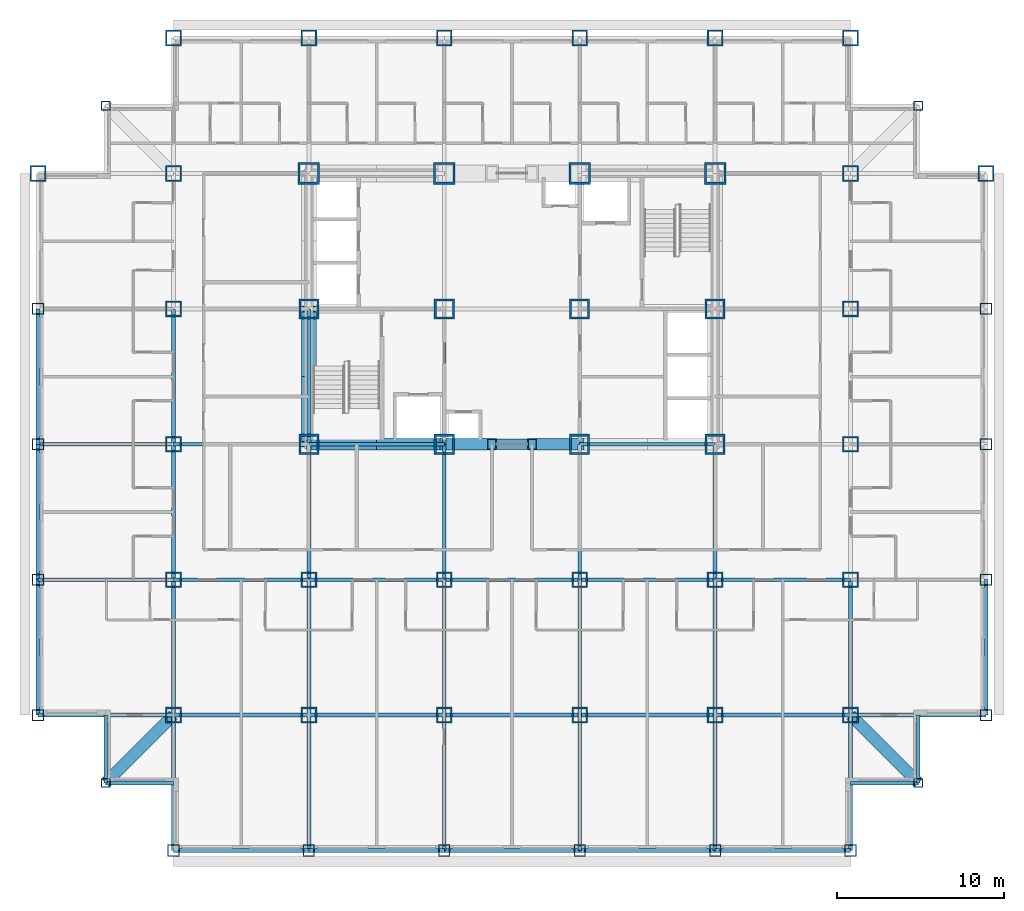
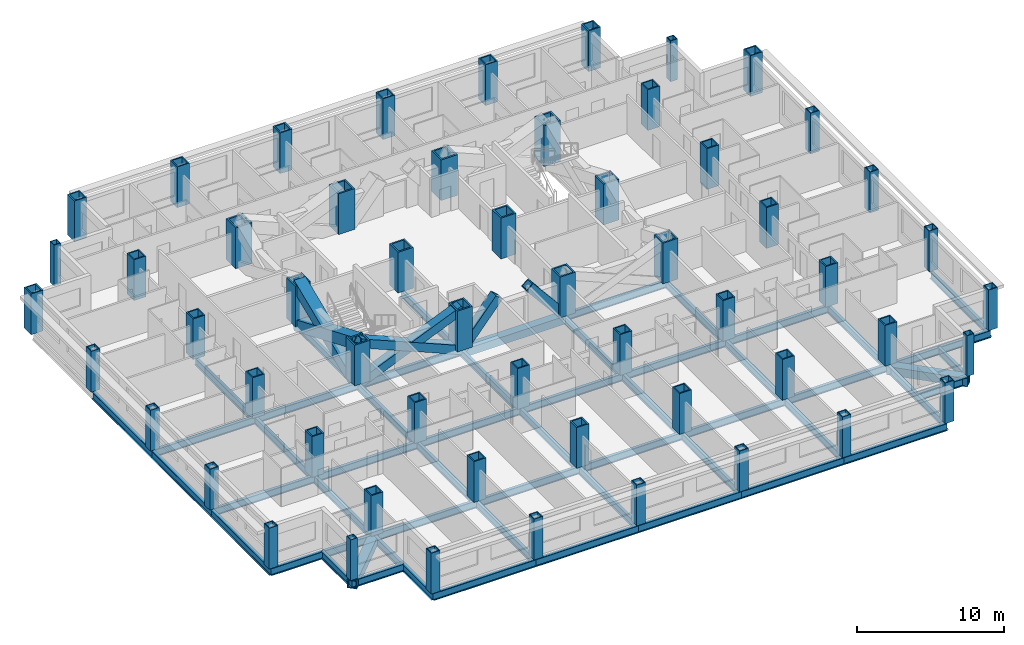
# One storey, part 1 of 12: 56 columns, 53 beams, 6 members.
"""IFC4 building model written with IfcOpenShell, lengths in metres."""

from ifc_helpers import new_model, si_unit, direction, frame, origin, origin_2d, place, context, subcontext, project, spatial, hollow_rectangle, i_section, extrude, material, material_profile, profile_set, type_object, element, save


model = new_model("IFC4")

# Units and contexts
model_context = context("Model", 3, precision=1e-05, world=origin(), true_north=direction((0.0, 1.0)))
body_context = subcontext(model_context, "Body", "Model", "MODEL_VIEW")
ifc_project = project(units=[si_unit("LENGTHUNIT", "METRE"), si_unit("AREAUNIT", "SQUARE_METRE"), si_unit("VOLUMEUNIT", "CUBIC_METRE"), si_unit("PLANEANGLEUNIT", "RADIAN"), si_unit("MASSUNIT", "GRAM", prefix="KILO")], contexts=[model_context])

# Site, building, storey
site_placement = place(None, origin())
site = spatial("IfcSite", under=ifc_project, at=site_placement, CompositionType="ELEMENT")
building_placement = place(site_placement, origin())
building = spatial("IfcBuilding", under=site, at=building_placement, Name="Kopane Lantern Tower", CompositionType="ELEMENT")
storey_placement = place(building_placement, frame((0.0, 0.0, 46.60009765625)))
storey = spatial("IfcBuildingStorey", under=building, at=storey_placement, Name="L10", CompositionType="ELEMENT", Elevation=46.60009765625)

# Columns
ifc_material_1 = material(Name="Steel S355JR", Category="steel")
ifc_material_profile_1 = material_profile(ifc_material_1, hollow_rectangle(XDim=1.199951171875, YDim=1.199951171875, WallThickness=0.1201171875, at=origin_2d()), Name="BOX 1200x1200x120")
ifc_profile_set_1 = profile_set([ifc_material_profile_1], Name="Steel S355JR")
column_type_1 = type_object("IfcColumnType", Name="COLUMN BOX 1200x1200x120", PredefinedType="COLUMN", material=ifc_profile_set_1)
for number, where, z_axis, x_axis, name in (
    (1, (16.199951171875, 24.300048828125, 0.0), (0.0, 0.0, 1.0), (1.0, 0.0, 0.0), "Column 4/E L10"),
    (2, (16.199951171875, 32.39990234375, 0.0), (0.0, 0.0, 1.0), (1.0, 0.0, 0.0), "Column 4/F L10"),
    (3, (24.300048828125, 24.300048828125, 0.0), (0.0, 0.0, 1.0), (1.0, 0.0, 0.0), "Column 5/E L10"),
    (4, (24.300048828125, 32.39990234375, 0.0), (0.0, 0.0, 1.0), (1.0, 0.0, 0.0), "Column 5/F L10"),
    (5, (32.39990234375, 24.300048828125, 0.0), (0.0, 0.0, 1.0), (1.0, 0.0, 0.0), "Column 6/E L10"),
    (6, (32.39990234375, 32.39990234375, 0.0), (0.0, 0.0, 1.0), (1.0, 0.0, 0.0), "Column 6/F L10"),
    (7, (40.5, 24.300048828125, 0.0), (0.0, 0.0, 1.0), (1.0, 0.0, 0.0), "Column 7/E L10"),
    (8, (40.5, 32.39990234375, 0.0), (0.0, 0.0, 1.0), (1.0, 0.0, 0.0), "Column 7/F L10"),
):
    element("IfcColumn", number, at=place(storey_placement, frame(where, z_axis=z_axis, x_axis=x_axis)), inside=storey, type_object=column_type_1, Name=name, PredefinedType="COLUMN", context=body_context, shape_type="SweptSolid", body=[
        extrude(hollow_rectangle(XDim=1.199951171875, YDim=1.199951171875, WallThickness=0.1201171875, at=origin_2d()), origin(), (0.0, 0.0, 1.0), 3.39990234375),
    ])
ifc_material_2 = material(Name="Steel S355JR", Category="steel")
ifc_material_profile_2 = material_profile(ifc_material_2, hollow_rectangle(XDim=1.300048828125, YDim=1.300048828125, WallThickness=0.1298828125, at=origin_2d()), Name="BOX 1300x1300x130")
ifc_profile_set_2 = profile_set([ifc_material_profile_2], Name="Steel S355JR")
column_type_2 = type_object("IfcColumnType", Name="COLUMN BOX 1300x1300x130", PredefinedType="COLUMN", material=ifc_profile_set_2)
for number, where, z_axis, x_axis, name in (
    (9, (16.199951171875, 40.5, 0.0), (0.0, 0.0, 1.0), (1.0, 0.0, 0.0), "Column 4/G L10"),
    (10, (24.300048828125, 40.5, 0.0), (0.0, 0.0, 1.0), (1.0, 0.0, 0.0), "Column 5/G L10"),
    (11, (32.39990234375, 40.5, 0.0), (0.0, 0.0, 1.0), (1.0, 0.0, 0.0), "Column 6/G L10"),
    (12, (40.5, 40.5, 0.0), (0.0, 0.0, 1.0), (1.0, 0.0, 0.0), "Column 7/G L10"),
):
    element("IfcColumn", number, at=place(storey_placement, frame(where, z_axis=z_axis, x_axis=x_axis)), inside=storey, type_object=column_type_2, Name=name, PredefinedType="COLUMN", context=body_context, shape_type="SweptSolid", body=[
        extrude(hollow_rectangle(XDim=1.300048828125, YDim=1.300048828125, WallThickness=0.1298828125, at=origin_2d()), origin(), (0.0, 0.0, 1.0), 3.39990234375),
    ])
ifc_material_3 = material(Name="Steel S355JR", Category="steel")
ifc_material_profile_3 = material_profile(ifc_material_3, hollow_rectangle(XDim=0.550048828125, YDim=0.550048828125, WallThickness=0.050048828125, at=origin_2d()), Name="BOX 550x550x50")
ifc_profile_set_3 = profile_set([ifc_material_profile_3], Name="Steel S355JR")
column_type_3 = type_object("IfcColumnType", Name="COLUMN BOX 550x550x50", PredefinedType="COLUMN", material=ifc_profile_set_3)
for number, where, z_axis, x_axis, name in (
    (13, (4.050048828125, 4.050048828125, 0.0), (0.0, 0.0, 1.0), (1.0, 0.0, 0.0), "Column 4.05/4.05 L10"),
    (14, (4.050048828125, 44.550048828125, 0.0), (0.0, 0.0, 1.0), (1.0, 0.0, 0.0), "Column 4.05/44.55 L10"),
    (15, (52.64990234375, 4.050048828125, 0.0), (0.0, 0.0, 1.0), (1.0, 0.0, 0.0), "Column 52.65/4.05 L10"),
    (16, (52.64990234375, 44.550048828125, 0.0), (0.0, 0.0, 1.0), (1.0, 0.0, 0.0), "Column 52.65/44.55 L10"),
):
    element("IfcColumn", number, at=place(storey_placement, frame(where, z_axis=z_axis, x_axis=x_axis)), inside=storey, type_object=column_type_3, Name=name, PredefinedType="COLUMN", context=body_context, shape_type="SweptSolid", body=[
        extrude(hollow_rectangle(XDim=0.550048828125, YDim=0.550048828125, WallThickness=0.050048828125, at=origin_2d()), origin(), (0.0, 0.0, 1.0), 3.39990234375),
    ])
ifc_material_4 = material(Name="Steel S355JR", Category="steel")
ifc_material_profile_4 = material_profile(ifc_material_4, hollow_rectangle(XDim=0.699951171875, YDim=0.699951171875, WallThickness=0.06005859375, at=origin_2d()), Name="BOX 700x700x60")
ifc_profile_set_4 = profile_set([ifc_material_profile_4], Name="Steel S355JR")
column_type_4 = type_object("IfcColumnType", Name="COLUMN BOX 700x700x60", PredefinedType="COLUMN", material=ifc_profile_set_4)
for number, where, z_axis, x_axis, name in (
    (17, (0.0, 8.10009765625, 0.0), (0.0, 0.0, 1.0), (1.0, 0.0, 0.0), "Column 2/C L10"),
    (18, (0.0, 16.199951171875, 0.0), (0.0, 0.0, 1.0), (1.0, 0.0, 0.0), "Column 2/D L10"),
    (19, (0.0, 24.300048828125, 0.0), (0.0, 0.0, 1.0), (1.0, 0.0, 0.0), "Column 2/E L10"),
    (20, (0.0, 32.39990234375, 0.0), (0.0, 0.0, 1.0), (1.0, 0.0, 0.0), "Column 2/F L10"),
    (21, (8.10009765625, 0.0, 0.0), (0.0, 0.0, 1.0), (1.0, 0.0, 0.0), "Column 3/B L10"),
    (22, (16.199951171875, 0.0, 0.0), (0.0, 0.0, 1.0), (1.0, 0.0, 0.0), "Column 4/B L10"),
    (23, (24.300048828125, 0.0, 0.0), (0.0, 0.0, 1.0), (1.0, 0.0, 0.0), "Column 5/B L10"),
    (24, (32.39990234375, 0.0, 0.0), (0.0, 0.0, 1.0), (1.0, 0.0, 0.0), "Column 6/B L10"),
    (25, (40.5, 0.0, 0.0), (0.0, 0.0, 1.0), (1.0, 0.0, 0.0), "Column 7/B L10"),
    (26, (48.60009765625, 0.0, 0.0), (0.0, 0.0, 1.0), (1.0, 0.0, 0.0), "Column 8/B L10"),
    (27, (56.699951171875, 8.10009765625, 0.0), (0.0, 0.0, 1.0), (1.0, 0.0, 0.0), "Column 9/C L10"),
    (28, (56.699951171875, 16.199951171875, 0.0), (0.0, 0.0, 1.0), (1.0, 0.0, 0.0), "Column 9/D L10"),
    (29, (56.699951171875, 24.300048828125, 0.0), (0.0, 0.0, 1.0), (1.0, 0.0, 0.0), "Column 9/E L10"),
    (30, (56.699951171875, 32.39990234375, 0.0), (0.0, 0.0, 1.0), (1.0, 0.0, 0.0), "Column 9/F L10"),
):
    element("IfcColumn", number, at=place(storey_placement, frame(where, z_axis=z_axis, x_axis=x_axis)), inside=storey, type_object=column_type_4, Name=name, PredefinedType="COLUMN", context=body_context, shape_type="SweptSolid", body=[
        extrude(hollow_rectangle(XDim=0.699951171875, YDim=0.699951171875, WallThickness=0.06005859375, at=origin_2d()), origin(), (0.0, 0.0, 1.0), 3.39990234375),
    ])
ifc_material_5 = material(Name="Steel S355JR", Category="steel")
ifc_material_profile_5 = material_profile(ifc_material_5, hollow_rectangle(XDim=0.949951171875, YDim=0.949951171875, WallThickness=0.094970703125, at=origin_2d()), Name="BOX 950x950x95")
ifc_profile_set_5 = profile_set([ifc_material_profile_5], Name="Steel S355JR")
column_type_5 = type_object("IfcColumnType", Name="COLUMN BOX 950x950x95", PredefinedType="COLUMN", material=ifc_profile_set_5)
for number, where, z_axis, x_axis, name in (
    (31, (0.0, 40.5, 0.0), (0.0, 0.0, 1.0), (1.0, 0.0, 0.0), "Column 2/G L10"),
    (32, (8.10009765625, 8.10009765625, 0.0), (0.0, 0.0, 1.0), (1.0, 0.0, 0.0), "Column 3/C L10"),
    (33, (8.10009765625, 16.199951171875, 0.0), (0.0, 0.0, 1.0), (1.0, 0.0, 0.0), "Column 3/D L10"),
    (34, (8.10009765625, 24.300048828125, 0.0), (0.0, 0.0, 1.0), (1.0, 0.0, 0.0), "Column 3/E L10"),
    (35, (8.10009765625, 32.39990234375, 0.0), (0.0, 0.0, 1.0), (1.0, 0.0, 0.0), "Column 3/F L10"),
    (36, (8.10009765625, 40.5, 0.0), (0.0, 0.0, 1.0), (1.0, 0.0, 0.0), "Column 3/G L10"),
    (37, (8.10009765625, 48.60009765625, 0.0), (0.0, 0.0, 1.0), (1.0, 0.0, 0.0), "Column 3/H L10"),
    (38, (16.199951171875, 8.10009765625, 0.0), (0.0, 0.0, 1.0), (1.0, 0.0, 0.0), "Column 4/C L10"),
    (39, (16.199951171875, 16.199951171875, 0.0), (0.0, 0.0, 1.0), (1.0, 0.0, 0.0), "Column 4/D L10"),
    (40, (16.199951171875, 48.60009765625, 0.0), (0.0, 0.0, 1.0), (1.0, 0.0, 0.0), "Column 4/H L10"),
    (41, (24.300048828125, 8.10009765625, 0.0), (0.0, 0.0, 1.0), (1.0, 0.0, 0.0), "Column 5/C L10"),
    (42, (24.300048828125, 16.199951171875, 0.0), (0.0, 0.0, 1.0), (1.0, 0.0, 0.0), "Column 5/D L10"),
    (43, (24.300048828125, 48.60009765625, 0.0), (0.0, 0.0, 1.0), (1.0, 0.0, 0.0), "Column 5/H L10"),
    (44, (32.39990234375, 8.10009765625, 0.0), (0.0, 0.0, 1.0), (1.0, 0.0, 0.0), "Column 6/C L10"),
    (45, (32.39990234375, 16.199951171875, 0.0), (0.0, 0.0, 1.0), (1.0, 0.0, 0.0), "Column 6/D L10"),
    (46, (32.39990234375, 48.60009765625, 0.0), (0.0, 0.0, 1.0), (1.0, 0.0, 0.0), "Column 6/H L10"),
    (47, (40.5, 8.10009765625, 0.0), (0.0, 0.0, 1.0), (1.0, 0.0, 0.0), "Column 7/C L10"),
    (48, (40.5, 16.199951171875, 0.0), (0.0, 0.0, 1.0), (1.0, 0.0, 0.0), "Column 7/D L10"),
    (49, (40.5, 48.60009765625, 0.0), (0.0, 0.0, 1.0), (1.0, 0.0, 0.0), "Column 7/H L10"),
    (50, (48.60009765625, 8.10009765625, 0.0), (0.0, 0.0, 1.0), (1.0, 0.0, 0.0), "Column 8/C L10"),
    (51, (48.60009765625, 16.199951171875, 0.0), (0.0, 0.0, 1.0), (1.0, 0.0, 0.0), "Column 8/D L10"),
    (52, (48.60009765625, 24.300048828125, 0.0), (0.0, 0.0, 1.0), (1.0, 0.0, 0.0), "Column 8/E L10"),
    (53, (48.60009765625, 32.39990234375, 0.0), (0.0, 0.0, 1.0), (1.0, 0.0, 0.0), "Column 8/F L10"),
    (54, (48.60009765625, 40.5, 0.0), (0.0, 0.0, 1.0), (1.0, 0.0, 0.0), "Column 8/G L10"),
    (55, (48.60009765625, 48.60009765625, 0.0), (0.0, 0.0, 1.0), (1.0, 0.0, 0.0), "Column 8/H L10"),
    (56, (56.699951171875, 40.5, 0.0), (0.0, 0.0, 1.0), (1.0, 0.0, 0.0), "Column 9/G L10"),
):
    element("IfcColumn", number, at=place(storey_placement, frame(where, z_axis=z_axis, x_axis=x_axis)), inside=storey, type_object=column_type_5, Name=name, PredefinedType="COLUMN", context=body_context, shape_type="SweptSolid", body=[
        extrude(hollow_rectangle(XDim=0.949951171875, YDim=0.949951171875, WallThickness=0.094970703125, at=origin_2d()), origin(), (0.0, 0.0, 1.0), 3.39990234375),
    ])

# Members
ifc_material_6 = material(Name="Steel S355JR", Category="steel")
ifc_material_profile_6 = material_profile(ifc_material_6, hollow_rectangle(XDim=0.699951171875, YDim=0.699951171875, WallThickness=0.06005859375, at=origin_2d()), Name="BOX 700x700x60")
ifc_profile_set_6 = profile_set([ifc_material_profile_6], Name="Steel S355JR")
member_type_1 = type_object("IfcMemberType", Name="BRACE BOX 700x700x60", PredefinedType="BRACE", material=ifc_profile_set_6)
for number, where, z_axis, x_axis, name in (
    (57, (16.199951171875, 24.300048828125, -0.210205078125), (0.92205908274, 0.0, 0.387049154419), (0.0, 1.0, 0.0), "Core brace L10"),
    (58, (24.300048828125, 24.300048828125, -0.210205078125), (-0.92205908274, 0.0, 0.387049154419), (0.0, -1.0, 0.0), "Core brace L10"),
):
    element("IfcMember", number, at=place(storey_placement, frame(where, z_axis=z_axis, x_axis=x_axis)), inside=storey, type_object=member_type_1, Name=name, PredefinedType="BRACE", context=body_context, shape_type="SweptSolid", body=[
        extrude(hollow_rectangle(XDim=0.699951171875, YDim=0.699951171875, WallThickness=0.06005859375, at=origin_2d()), origin(), (0.0, 0.0, 1.0), 8.784912109375),
    ])
for number, where, z_axis, x_axis, name in (
    (59, (24.300048828125, 24.300048828125, -0.210205078125), (0.642363165114, 0.0, 0.766400394118), (0.0, 1.0, 0.0), "Core brace L10"),
    (60, (32.39990234375, 24.300048828125, -0.210205078125), (-0.642363165114, 0.0, 0.766400394118), (0.0, -1.0, 0.0), "Core brace L10"),
):
    element("IfcMember", number, at=place(storey_placement, frame(where, z_axis=z_axis, x_axis=x_axis)), inside=storey, type_object=member_type_1, Name=name, PredefinedType="BRACE", context=body_context, shape_type="SweptSolid", body=[
        extrude(hollow_rectangle(XDim=0.699951171875, YDim=0.699951171875, WallThickness=0.06005859375, at=origin_2d()), origin(), (0.0, 0.0, 1.0), 4.4365234375),
    ])
ifc_material_7 = material(Name="Steel S355JR", Category="steel")
ifc_material_profile_7 = material_profile(ifc_material_7, hollow_rectangle(XDim=0.89990234375, YDim=0.89990234375, WallThickness=0.090087890625, at=origin_2d()), Name="BOX 900x900x90")
ifc_profile_set_7 = profile_set([ifc_material_profile_7], Name="Steel S355JR")
member_type_2 = type_object("IfcMemberType", Name="BRACE BOX 900x900x90", PredefinedType="BRACE", material=ifc_profile_set_7)
for number, where, z_axis, x_axis, name in (
    (61, (16.199951171875, 24.300048828125, -0.210205078125), (0.0, 0.92205491925, 0.387059072864), (-1.0, 0.0, 0.0), "Core brace L10"),
    (62, (16.199951171875, 32.39990234375, -0.210205078125), (0.0, -0.92205491925, 0.387059072864), (1.0, 0.0, 0.0), "Core brace L10"),
):
    element("IfcMember", number, at=place(storey_placement, frame(where, z_axis=z_axis, x_axis=x_axis)), inside=storey, type_object=member_type_2, Name=name, PredefinedType="BRACE", context=body_context, shape_type="SweptSolid", body=[
        extrude(hollow_rectangle(XDim=0.89990234375, YDim=0.89990234375, WallThickness=0.090087890625, at=origin_2d()), origin(), (0.0, 0.0, 1.0), 8.78466796875),
    ])

# Beams
ifc_material_8 = material(Name="Steel S355JR", Category="steel")
ifc_material_profile_8 = material_profile(ifc_material_8, i_section(OverallWidth=0.22900390625, OverallDepth=0.6123046875, WebThickness=0.011962890625, FlangeThickness=0.01953125, FilletRadius=0.0126953125, at=origin_2d()), Name="UB 610x229x125")
ifc_profile_set_8 = profile_set([ifc_material_profile_8], Name="Steel S355JR")
beam_type_1 = type_object("IfcBeamType", Name="CORE BEAM UB 610x229x125", PredefinedType="BEAM", material=ifc_profile_set_8)
beam_1_placement = place(storey_placement, frame((24.300048828125, 24.300048828125, -0.51611328125), z_axis=(0.0, 1.0, 0.0), x_axis=(-1.0, 0.0, 0.0)))
element("IfcBeam", 63, at=beam_1_placement, inside=storey, type_object=beam_type_1, Name="Core Beam L10", PredefinedType="BEAM", context=body_context, shape_type="SweptSolid", body=[
    extrude(i_section(OverallWidth=0.22900390625, OverallDepth=0.6123046875, WebThickness=0.011962890625, FlangeThickness=0.01953125, FilletRadius=0.0126953125, at=origin_2d()), origin(), (0.0, 0.0, 1.0), 8.099853515625),
])
ifc_material_9 = material(Name="Steel S355JR", Category="steel")
ifc_material_profile_9 = material_profile(ifc_material_9, hollow_rectangle(XDim=0.699951171875, YDim=0.699951171875, WallThickness=0.06005859375, at=origin_2d()), Name="BOX 700x700x60")
ifc_profile_set_9 = profile_set([ifc_material_profile_9], Name="Steel S355JR")
beam_type_2 = type_object("IfcBeamType", Name="CORNER TIE BEAM BOX 700x700x60", PredefinedType="BEAM", material=ifc_profile_set_9)
for number, where, z_axis, x_axis, name in (
    (64, (4.050048828125, 4.050048828125, -0.56005859375), (0.707106781187, 0.707106781187, 0.0), (-0.707106781187, 0.707106781187, 0.0), "Corner Tie Beam L10"),
    (65, (52.64990234375, 4.050048828125, -0.56005859375), (-0.707085467703, 0.707128094028, 0.0), (-0.707128094028, -0.707085467703, 0.0), "Corner Tie Beam L10"),
):
    element("IfcBeam", number, at=place(storey_placement, frame(where, z_axis=z_axis, x_axis=x_axis)), inside=storey, type_object=beam_type_2, Name=name, PredefinedType="BEAM", context=body_context, shape_type="SweptSolid", body=[
        extrude(hollow_rectangle(XDim=0.699951171875, YDim=0.699951171875, WallThickness=0.06005859375, at=origin_2d()), origin(), (0.0, 0.0, 1.0), 5.7275390625),
    ])
ifc_material_10 = material(Name="Steel S355JR", Category="steel")
ifc_material_profile_10 = material_profile(ifc_material_10, i_section(OverallWidth=0.22900390625, OverallDepth=0.6123046875, WebThickness=0.011962890625, FlangeThickness=0.01953125, FilletRadius=0.0126953125, at=origin_2d()), Name="UB 610x229x125")
ifc_profile_set_10 = profile_set([ifc_material_profile_10], Name="Steel S355JR")
beam_type_3 = type_object("IfcBeamType", Name="EDGE BEAM UB 610x229x125", PredefinedType="BEAM", material=ifc_profile_set_10)
for number, where, z_axis, x_axis, name in (
    (66, (4.050048828125, 4.050048828125, -0.51611328125), (0.0, 1.0, 0.0), (-1.0, 0.0, 0.0), "Edge Beam L10"),
    (67, (4.050048828125, 4.050048828125, -0.51611328125), (1.0, 0.0, 0.0), (0.0, 1.0, 0.0), "Edge Beam L10"),
):
    element("IfcBeam", number, at=place(storey_placement, frame(where, z_axis=z_axis, x_axis=x_axis)), inside=storey, type_object=beam_type_3, Name=name, PredefinedType="BEAM", context=body_context, shape_type="SweptSolid", body=[
        extrude(i_section(OverallWidth=0.22900390625, OverallDepth=0.6123046875, WebThickness=0.011962890625, FlangeThickness=0.01953125, FilletRadius=0.0126953125, at=origin_2d()), origin(), (0.0, 0.0, 1.0), 4.050048828125),
    ])
beam_2_placement = place(storey_placement, frame((52.64990234375, 4.050048828125, -0.51611328125), z_axis=(-1.0, 0.0, 0.0), x_axis=(0.0, -1.0, 0.0)))
element("IfcBeam", 68, at=beam_2_placement, inside=storey, type_object=beam_type_3, Name="Edge Beam L10", PredefinedType="BEAM", context=body_context, shape_type="SweptSolid", body=[
    extrude(i_section(OverallWidth=0.22900390625, OverallDepth=0.6123046875, WebThickness=0.011962890625, FlangeThickness=0.01953125, FilletRadius=0.0126953125, at=origin_2d()), origin(), (0.0, 0.0, 1.0), 4.0498046875),
])
beam_3_placement = place(storey_placement, frame((52.64990234375, 4.050048828125, -0.51611328125), z_axis=(0.0, 1.0, 0.0), x_axis=(-1.0, 0.0, 0.0)))
element("IfcBeam", 69, at=beam_3_placement, inside=storey, type_object=beam_type_3, Name="Edge Beam L10", PredefinedType="BEAM", context=body_context, shape_type="SweptSolid", body=[
    extrude(i_section(OverallWidth=0.22900390625, OverallDepth=0.6123046875, WebThickness=0.011962890625, FlangeThickness=0.01953125, FilletRadius=0.0126953125, at=origin_2d()), origin(), (0.0, 0.0, 1.0), 4.050048828125),
])
ifc_material_11 = material(Name="Steel S355JR", Category="steel")
ifc_material_profile_11 = material_profile(ifc_material_11, i_section(OverallWidth=0.22900390625, OverallDepth=0.6123046875, WebThickness=0.011962890625, FlangeThickness=0.01953125, FilletRadius=0.0126953125, at=origin_2d()), Name="UB 610x229x125")
ifc_profile_set_11 = profile_set([ifc_material_profile_11], Name="Steel S355JR")
beam_type_4 = type_object("IfcBeamType", Name="GIRDER UB 610x229x125", PredefinedType="BEAM", material=ifc_profile_set_11)
beam_4_placement = place(storey_placement, frame((0.0, 8.10009765625, -0.51611328125), z_axis=(0.0, 1.0, 0.0), x_axis=(-1.0, 0.0, 0.0)))
element("IfcBeam", 70, at=beam_4_placement, inside=storey, type_object=beam_type_4, Name="Girder L10", PredefinedType="BEAM", context=body_context, shape_type="SweptSolid", body=[
    extrude(i_section(OverallWidth=0.22900390625, OverallDepth=0.6123046875, WebThickness=0.011962890625, FlangeThickness=0.01953125, FilletRadius=0.0126953125, at=origin_2d()), origin(), (0.0, 0.0, 1.0), 8.099853515625),
])
for number, where, z_axis, x_axis, name in (
    (71, (0.0, 8.10009765625, -0.51611328125), (1.0, 0.0, 0.0), (0.0, 1.0, 0.0), "Girder L10"),
    (72, (0.0, 16.199951171875, -0.51611328125), (0.0, 1.0, 0.0), (-1.0, 0.0, 0.0), "Girder L10"),
    (73, (0.0, 16.199951171875, -0.51611328125), (1.0, 0.0, 0.0), (0.0, 1.0, 0.0), "Girder L10"),
):
    element("IfcBeam", number, at=place(storey_placement, frame(where, z_axis=z_axis, x_axis=x_axis)), inside=storey, type_object=beam_type_4, Name=name, PredefinedType="BEAM", context=body_context, shape_type="SweptSolid", body=[
        extrude(i_section(OverallWidth=0.22900390625, OverallDepth=0.6123046875, WebThickness=0.011962890625, FlangeThickness=0.01953125, FilletRadius=0.0126953125, at=origin_2d()), origin(), (0.0, 0.0, 1.0), 8.10009765625),
    ])
beam_5_placement = place(storey_placement, frame((0.0, 24.300048828125, -0.51611328125), z_axis=(0.0, 1.0, 0.0), x_axis=(-1.0, 0.0, 0.0)))
element("IfcBeam", 74, at=beam_5_placement, inside=storey, type_object=beam_type_4, Name="Girder L10", PredefinedType="BEAM", context=body_context, shape_type="SweptSolid", body=[
    extrude(i_section(OverallWidth=0.22900390625, OverallDepth=0.6123046875, WebThickness=0.011962890625, FlangeThickness=0.01953125, FilletRadius=0.0126953125, at=origin_2d()), origin(), (0.0, 0.0, 1.0), 8.099853515625),
])
for number, where, z_axis, x_axis, name in (
    (75, (0.0, 24.300048828125, -0.51611328125), (1.0, 0.0, 0.0), (0.0, 1.0, 0.0), "Girder L10"),
    (76, (8.10009765625, 0.0, -0.51611328125), (0.0, 1.0, 0.0), (-1.0, 0.0, 0.0), "Girder L10"),
):
    element("IfcBeam", number, at=place(storey_placement, frame(where, z_axis=z_axis, x_axis=x_axis)), inside=storey, type_object=beam_type_4, Name=name, PredefinedType="BEAM", context=body_context, shape_type="SweptSolid", body=[
        extrude(i_section(OverallWidth=0.22900390625, OverallDepth=0.6123046875, WebThickness=0.011962890625, FlangeThickness=0.01953125, FilletRadius=0.0126953125, at=origin_2d()), origin(), (0.0, 0.0, 1.0), 8.10009765625),
    ])
for number, where, z_axis, x_axis, name in (
    (77, (8.10009765625, 0.0, -0.51611328125), (1.0, 0.0, 0.0), (0.0, 1.0, 0.0), "Girder L10"),
    (78, (8.10009765625, 8.10009765625, -0.51611328125), (0.0, 1.0, 0.0), (-1.0, 0.0, 0.0), "Girder L10"),
    (79, (8.10009765625, 8.10009765625, -0.51611328125), (1.0, 0.0, 0.0), (0.0, 1.0, 0.0), "Girder L10"),
):
    element("IfcBeam", number, at=place(storey_placement, frame(where, z_axis=z_axis, x_axis=x_axis)), inside=storey, type_object=beam_type_4, Name=name, PredefinedType="BEAM", context=body_context, shape_type="SweptSolid", body=[
        extrude(i_section(OverallWidth=0.22900390625, OverallDepth=0.6123046875, WebThickness=0.011962890625, FlangeThickness=0.01953125, FilletRadius=0.0126953125, at=origin_2d()), origin(), (0.0, 0.0, 1.0), 8.099853515625),
    ])
beam_6_placement = place(storey_placement, frame((8.10009765625, 16.199951171875, -0.51611328125), z_axis=(0.0, 1.0, 0.0), x_axis=(-1.0, 0.0, 0.0)))
element("IfcBeam", 80, at=beam_6_placement, inside=storey, type_object=beam_type_4, Name="Girder L10", PredefinedType="BEAM", context=body_context, shape_type="SweptSolid", body=[
    extrude(i_section(OverallWidth=0.22900390625, OverallDepth=0.6123046875, WebThickness=0.011962890625, FlangeThickness=0.01953125, FilletRadius=0.0126953125, at=origin_2d()), origin(), (0.0, 0.0, 1.0), 8.10009765625),
])
for number, where, z_axis, x_axis, name in (
    (81, (8.10009765625, 16.199951171875, -0.51611328125), (1.0, 0.0, 0.0), (0.0, 1.0, 0.0), "Girder L10"),
    (82, (8.10009765625, 24.300048828125, -0.51611328125), (0.0, 1.0, 0.0), (-1.0, 0.0, 0.0), "Girder L10"),
    (83, (8.10009765625, 24.300048828125, -0.51611328125), (1.0, 0.0, 0.0), (0.0, 1.0, 0.0), "Girder L10"),
):
    element("IfcBeam", number, at=place(storey_placement, frame(where, z_axis=z_axis, x_axis=x_axis)), inside=storey, type_object=beam_type_4, Name=name, PredefinedType="BEAM", context=body_context, shape_type="SweptSolid", body=[
        extrude(i_section(OverallWidth=0.22900390625, OverallDepth=0.6123046875, WebThickness=0.011962890625, FlangeThickness=0.01953125, FilletRadius=0.0126953125, at=origin_2d()), origin(), (0.0, 0.0, 1.0), 8.099853515625),
    ])
for number, where, z_axis, x_axis, name in (
    (84, (16.199951171875, 0.0, -0.51611328125), (0.0, 1.0, 0.0), (-1.0, 0.0, 0.0), "Girder L10"),
    (85, (16.199951171875, 0.0, -0.51611328125), (1.0, 0.0, 0.0), (0.0, 1.0, 0.0), "Girder L10"),
):
    element("IfcBeam", number, at=place(storey_placement, frame(where, z_axis=z_axis, x_axis=x_axis)), inside=storey, type_object=beam_type_4, Name=name, PredefinedType="BEAM", context=body_context, shape_type="SweptSolid", body=[
        extrude(i_section(OverallWidth=0.22900390625, OverallDepth=0.6123046875, WebThickness=0.011962890625, FlangeThickness=0.01953125, FilletRadius=0.0126953125, at=origin_2d()), origin(), (0.0, 0.0, 1.0), 8.10009765625),
    ])
beam_7_placement = place(storey_placement, frame((16.199951171875, 8.10009765625, -0.51611328125), z_axis=(0.0, 1.0, 0.0), x_axis=(-1.0, 0.0, 0.0)))
element("IfcBeam", 86, at=beam_7_placement, inside=storey, type_object=beam_type_4, Name="Girder L10", PredefinedType="BEAM", context=body_context, shape_type="SweptSolid", body=[
    extrude(i_section(OverallWidth=0.22900390625, OverallDepth=0.6123046875, WebThickness=0.011962890625, FlangeThickness=0.01953125, FilletRadius=0.0126953125, at=origin_2d()), origin(), (0.0, 0.0, 1.0), 8.099853515625),
])
for number, where, z_axis, x_axis, name in (
    (87, (16.199951171875, 8.10009765625, -0.51611328125), (1.0, 0.0, 0.0), (0.0, 1.0, 0.0), "Girder L10"),
    (88, (16.199951171875, 16.199951171875, -0.51611328125), (0.0, 1.0, 0.0), (-1.0, 0.0, 0.0), "Girder L10"),
    (89, (16.199951171875, 16.199951171875, -0.51611328125), (1.0, 0.0, 0.0), (0.0, 1.0, 0.0), "Girder L10"),
):
    element("IfcBeam", number, at=place(storey_placement, frame(where, z_axis=z_axis, x_axis=x_axis)), inside=storey, type_object=beam_type_4, Name=name, PredefinedType="BEAM", context=body_context, shape_type="SweptSolid", body=[
        extrude(i_section(OverallWidth=0.22900390625, OverallDepth=0.6123046875, WebThickness=0.011962890625, FlangeThickness=0.01953125, FilletRadius=0.0126953125, at=origin_2d()), origin(), (0.0, 0.0, 1.0), 8.10009765625),
    ])
beam_8_placement = place(storey_placement, frame((16.199951171875, 24.300048828125, -0.51611328125), z_axis=(0.0, 1.0, 0.0), x_axis=(-1.0, 0.0, 0.0)))
element("IfcBeam", 90, at=beam_8_placement, inside=storey, type_object=beam_type_4, Name="Girder L10", PredefinedType="BEAM", context=body_context, shape_type="SweptSolid", body=[
    extrude(i_section(OverallWidth=0.22900390625, OverallDepth=0.6123046875, WebThickness=0.011962890625, FlangeThickness=0.01953125, FilletRadius=0.0126953125, at=origin_2d()), origin(), (0.0, 0.0, 1.0), 8.099853515625),
])
for number, where, z_axis, x_axis, name in (
    (91, (16.199951171875, 24.300048828125, -0.51611328125), (1.0, 0.0, 0.0), (0.0, 1.0, 0.0), "Girder L10"),
    (92, (24.300048828125, 0.0, -0.51611328125), (0.0, 1.0, 0.0), (-1.0, 0.0, 0.0), "Girder L10"),
):
    element("IfcBeam", number, at=place(storey_placement, frame(where, z_axis=z_axis, x_axis=x_axis)), inside=storey, type_object=beam_type_4, Name=name, PredefinedType="BEAM", context=body_context, shape_type="SweptSolid", body=[
        extrude(i_section(OverallWidth=0.22900390625, OverallDepth=0.6123046875, WebThickness=0.011962890625, FlangeThickness=0.01953125, FilletRadius=0.0126953125, at=origin_2d()), origin(), (0.0, 0.0, 1.0), 8.10009765625),
    ])
for number, where, z_axis, x_axis, name in (
    (93, (24.300048828125, 0.0, -0.51611328125), (1.0, 0.0, 0.0), (0.0, 1.0, 0.0), "Girder L10"),
    (94, (24.300048828125, 8.10009765625, -0.51611328125), (0.0, 1.0, 0.0), (-1.0, 0.0, 0.0), "Girder L10"),
    (95, (24.300048828125, 8.10009765625, -0.51611328125), (1.0, 0.0, 0.0), (0.0, 1.0, 0.0), "Girder L10"),
):
    element("IfcBeam", number, at=place(storey_placement, frame(where, z_axis=z_axis, x_axis=x_axis)), inside=storey, type_object=beam_type_4, Name=name, PredefinedType="BEAM", context=body_context, shape_type="SweptSolid", body=[
        extrude(i_section(OverallWidth=0.22900390625, OverallDepth=0.6123046875, WebThickness=0.011962890625, FlangeThickness=0.01953125, FilletRadius=0.0126953125, at=origin_2d()), origin(), (0.0, 0.0, 1.0), 8.099853515625),
    ])
beam_9_placement = place(storey_placement, frame((24.300048828125, 16.199951171875, -0.51611328125), z_axis=(0.0, 1.0, 0.0), x_axis=(-1.0, 0.0, 0.0)))
element("IfcBeam", 96, at=beam_9_placement, inside=storey, type_object=beam_type_4, Name="Girder L10", PredefinedType="BEAM", context=body_context, shape_type="SweptSolid", body=[
    extrude(i_section(OverallWidth=0.22900390625, OverallDepth=0.6123046875, WebThickness=0.011962890625, FlangeThickness=0.01953125, FilletRadius=0.0126953125, at=origin_2d()), origin(), (0.0, 0.0, 1.0), 8.10009765625),
])
beam_10_placement = place(storey_placement, frame((24.300048828125, 16.199951171875, -0.51611328125), z_axis=(1.0, 0.0, 0.0), x_axis=(0.0, 1.0, 0.0)))
element("IfcBeam", 97, at=beam_10_placement, inside=storey, type_object=beam_type_4, Name="Girder L10", PredefinedType="BEAM", context=body_context, shape_type="SweptSolid", body=[
    extrude(i_section(OverallWidth=0.22900390625, OverallDepth=0.6123046875, WebThickness=0.011962890625, FlangeThickness=0.01953125, FilletRadius=0.0126953125, at=origin_2d()), origin(), (0.0, 0.0, 1.0), 8.099853515625),
])
for number, where, z_axis, x_axis, name in (
    (98, (32.39990234375, 0.0, -0.51611328125), (0.0, 1.0, 0.0), (-1.0, 0.0, 0.0), "Girder L10"),
    (99, (32.39990234375, 0.0, -0.51611328125), (1.0, 0.0, 0.0), (0.0, 1.0, 0.0), "Girder L10"),
):
    element("IfcBeam", number, at=place(storey_placement, frame(where, z_axis=z_axis, x_axis=x_axis)), inside=storey, type_object=beam_type_4, Name=name, PredefinedType="BEAM", context=body_context, shape_type="SweptSolid", body=[
        extrude(i_section(OverallWidth=0.22900390625, OverallDepth=0.6123046875, WebThickness=0.011962890625, FlangeThickness=0.01953125, FilletRadius=0.0126953125, at=origin_2d()), origin(), (0.0, 0.0, 1.0), 8.10009765625),
    ])
beam_11_placement = place(storey_placement, frame((32.39990234375, 8.10009765625, -0.51611328125), z_axis=(0.0, 1.0, 0.0), x_axis=(-1.0, 0.0, 0.0)))
element("IfcBeam", 100, at=beam_11_placement, inside=storey, type_object=beam_type_4, Name="Girder L10", PredefinedType="BEAM", context=body_context, shape_type="SweptSolid", body=[
    extrude(i_section(OverallWidth=0.22900390625, OverallDepth=0.6123046875, WebThickness=0.011962890625, FlangeThickness=0.01953125, FilletRadius=0.0126953125, at=origin_2d()), origin(), (0.0, 0.0, 1.0), 8.099853515625),
])
for number, where, z_axis, x_axis, name in (
    (101, (32.39990234375, 8.10009765625, -0.51611328125), (1.0, 0.0, 0.0), (0.0, 1.0, 0.0), "Girder L10"),
    (102, (32.39990234375, 16.199951171875, -0.51611328125), (0.0, 1.0, 0.0), (-1.0, 0.0, 0.0), "Girder L10"),
    (103, (32.39990234375, 16.199951171875, -0.51611328125), (1.0, 0.0, 0.0), (0.0, 1.0, 0.0), "Girder L10"),
    (104, (32.39990234375, 24.300048828125, -0.51611328125), (1.0, 0.0, 0.0), (0.0, 1.0, 0.0), "Girder L10"),
    (105, (40.5, 0.0, -0.51611328125), (0.0, 1.0, 0.0), (-1.0, 0.0, 0.0), "Girder L10"),
    (106, (40.5, 0.0, -0.51611328125), (1.0, 0.0, 0.0), (0.0, 1.0, 0.0), "Girder L10"),
):
    element("IfcBeam", number, at=place(storey_placement, frame(where, z_axis=z_axis, x_axis=x_axis)), inside=storey, type_object=beam_type_4, Name=name, PredefinedType="BEAM", context=body_context, shape_type="SweptSolid", body=[
        extrude(i_section(OverallWidth=0.22900390625, OverallDepth=0.6123046875, WebThickness=0.011962890625, FlangeThickness=0.01953125, FilletRadius=0.0126953125, at=origin_2d()), origin(), (0.0, 0.0, 1.0), 8.10009765625),
    ])
beam_12_placement = place(storey_placement, frame((40.5, 8.10009765625, -0.51611328125), z_axis=(0.0, 1.0, 0.0), x_axis=(-1.0, 0.0, 0.0)))
element("IfcBeam", 107, at=beam_12_placement, inside=storey, type_object=beam_type_4, Name="Girder L10", PredefinedType="BEAM", context=body_context, shape_type="SweptSolid", body=[
    extrude(i_section(OverallWidth=0.22900390625, OverallDepth=0.6123046875, WebThickness=0.011962890625, FlangeThickness=0.01953125, FilletRadius=0.0126953125, at=origin_2d()), origin(), (0.0, 0.0, 1.0), 8.099853515625),
])
for number, where, z_axis, x_axis, name in (
    (108, (40.5, 8.10009765625, -0.51611328125), (1.0, 0.0, 0.0), (0.0, 1.0, 0.0), "Girder L10"),
    (109, (40.5, 16.199951171875, -0.51611328125), (0.0, 1.0, 0.0), (-1.0, 0.0, 0.0), "Girder L10"),
    (110, (40.5, 16.199951171875, -0.51611328125), (1.0, 0.0, 0.0), (0.0, 1.0, 0.0), "Girder L10"),
    (111, (48.60009765625, 0.0, -0.51611328125), (0.0, 1.0, 0.0), (-1.0, 0.0, 0.0), "Girder L10"),
):
    element("IfcBeam", number, at=place(storey_placement, frame(where, z_axis=z_axis, x_axis=x_axis)), inside=storey, type_object=beam_type_4, Name=name, PredefinedType="BEAM", context=body_context, shape_type="SweptSolid", body=[
        extrude(i_section(OverallWidth=0.22900390625, OverallDepth=0.6123046875, WebThickness=0.011962890625, FlangeThickness=0.01953125, FilletRadius=0.0126953125, at=origin_2d()), origin(), (0.0, 0.0, 1.0), 8.10009765625),
    ])
for number, where, z_axis, x_axis, name in (
    (112, (48.60009765625, 8.10009765625, -0.51611328125), (0.0, 1.0, 0.0), (-1.0, 0.0, 0.0), "Girder L10"),
    (113, (48.60009765625, 8.10009765625, -0.51611328125), (1.0, 0.0, 0.0), (0.0, 1.0, 0.0), "Girder L10"),
    (114, (56.699951171875, 8.10009765625, -0.51611328125), (0.0, 1.0, 0.0), (-1.0, 0.0, 0.0), "Girder L10"),
):
    element("IfcBeam", number, at=place(storey_placement, frame(where, z_axis=z_axis, x_axis=x_axis)), inside=storey, type_object=beam_type_4, Name=name, PredefinedType="BEAM", context=body_context, shape_type="SweptSolid", body=[
        extrude(i_section(OverallWidth=0.22900390625, OverallDepth=0.6123046875, WebThickness=0.011962890625, FlangeThickness=0.01953125, FilletRadius=0.0126953125, at=origin_2d()), origin(), (0.0, 0.0, 1.0), 8.099853515625),
    ])
ifc_material_12 = material(Name="Steel S355JR", Category="steel")
ifc_material_profile_12 = material_profile(ifc_material_12, hollow_rectangle(XDim=0.64990234375, YDim=0.64990234375, WallThickness=0.070068359375, at=origin_2d()), Name="BOX 650x650x70")
ifc_profile_set_12 = profile_set([ifc_material_profile_12], Name="Steel S355JR")
beam_type_5 = type_object("IfcBeamType", Name="LINK BEAM BOX 650x650x70", PredefinedType="BEAM", material=ifc_profile_set_12)
beam_13_placement = place(storey_placement, frame((24.300048828125, 24.300048828125, -0.53515625), z_axis=(1.0, 0.0, 0.0), x_axis=(0.0, 1.0, 0.0)))
element("IfcBeam", 115, at=beam_13_placement, inside=storey, type_object=beam_type_5, Name="Link Beam L10", PredefinedType="BEAM", context=body_context, shape_type="SweptSolid", body=[
    extrude(hollow_rectangle(XDim=0.64990234375, YDim=0.64990234375, WallThickness=0.070068359375, at=origin_2d()), origin(), (0.0, 0.0, 1.0), 8.099853515625),
])

save(model, "model.ifc")
